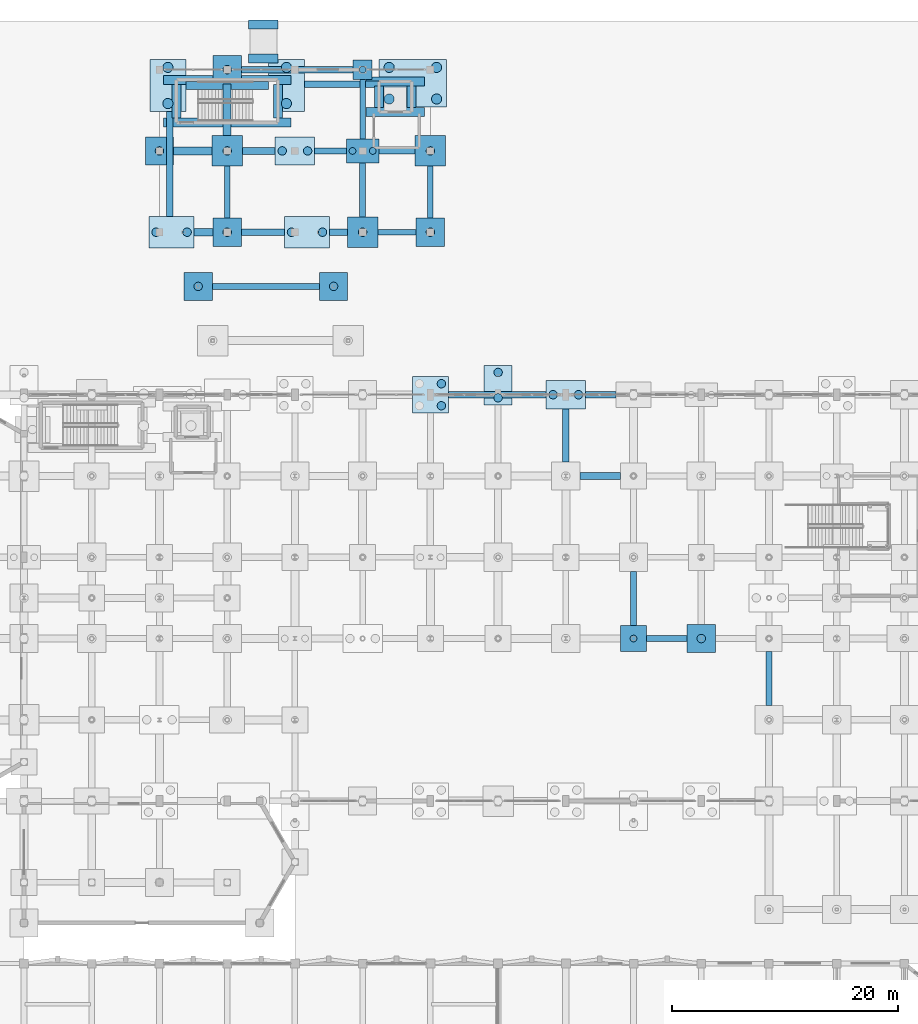
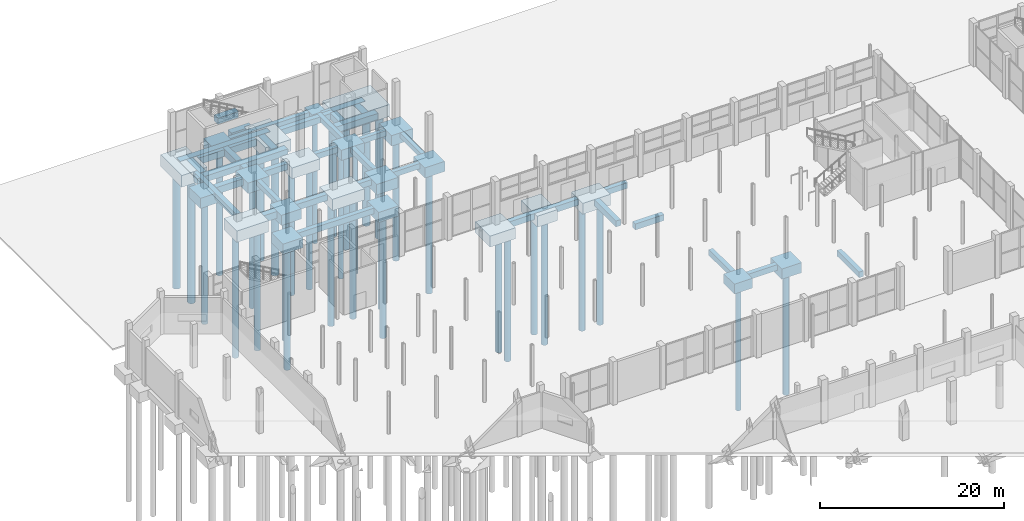
# One storey, part 6 of 103: 57 footings, 34 piles.
"""IFC4 building model written with IfcOpenShell, lengths in metres."""

from ifc_helpers import new_model, si_unit, direction, frame, origin, origin_2d, place, context, subcontext, project, spatial, rectangle, circle, extrude, material, material_profile, profile_set, type_object, element, save


model = new_model("IFC4")

# Units and contexts
model_context = context("Model", 3, precision=1e-05, world=origin(), true_north=direction((0.0, 1.0)))
body_context = subcontext(model_context, "Body", "Model", "MODEL_VIEW")
ifc_project = project(units=[si_unit("LENGTHUNIT", "METRE"), si_unit("AREAUNIT", "SQUARE_METRE"), si_unit("VOLUMEUNIT", "CUBIC_METRE"), si_unit("PLANEANGLEUNIT", "RADIAN"), si_unit("MASSUNIT", "GRAM", prefix="KILO")], contexts=[model_context])

# Site, building, storey
site_placement = place(None, origin())
site = spatial("IfcSite", under=ifc_project, at=site_placement, CompositionType="ELEMENT")
building_placement = place(site_placement, origin())
building = spatial("IfcBuilding", under=site, at=building_placement, Name="Dunvalen Ferry Terminal", CompositionType="ELEMENT")
storey_placement = place(building_placement, origin())
storey = spatial("IfcBuildingStorey", under=building, at=storey_placement, Name="L00", CompositionType="ELEMENT", Elevation=0.0)

# Footings
ifc_material = material(Name="Concrete C40/50", Category="concrete")
ifc_material_profile_1 = material_profile(ifc_material, rectangle(XDim=0.5, YDim=0.699951171875, at=origin_2d()), Name="Concrete C40/50")
ifc_profile_set_1 = profile_set([ifc_material_profile_1], Name="Concrete C40/50")
footing_type_1 = type_object("IfcFootingType", Name="STR-GB-500x700", PredefinedType="FOOTING_BEAM", material=ifc_profile_set_1)
footing_1_placement = place(storey_placement, frame((43.35009765625, 100.800048828125, -0.669921875), z_axis=(1.0, 0.0, 0.0), x_axis=(0.0, 1.0, 0.0)))
element("IfcFooting", 1, at=footing_1_placement, inside=storey, type_object=footing_type_1, Name="L00 Ground Beam X-339", PredefinedType="FOOTING_BEAM", context=body_context, shape_type="SweptSolid", body=[
    extrude(rectangle(XDim=0.5, YDim=0.699951171875, at=origin_2d()), origin(), (0.0, 0.0, 1.0), 3.39990234375),
])
footing_2_placement = place(storey_placement, frame((43.449951171875, 108.0, -0.669921875), z_axis=(1.0, 0.0, 0.0), x_axis=(0.0, 1.0, 0.0)))
element("IfcFooting", 2, at=footing_2_placement, inside=storey, type_object=footing_type_1, Name="L00 Ground Beam X-347", PredefinedType="FOOTING_BEAM", context=body_context, shape_type="SweptSolid", body=[
    extrude(rectangle(XDim=0.5, YDim=0.699951171875, at=origin_2d()), origin(), (0.0, 0.0, 1.0), 3.199951171875),
])
footing_3_placement = place(storey_placement, frame((30.0, 102.050048828125, -0.669921875), z_axis=(0.0, 1.0, 0.0), x_axis=(-1.0, 0.0, 0.0)))
element("IfcFooting", 3, at=footing_3_placement, inside=storey, type_object=footing_type_1, Name="L00 Ground Beam Y-395", PredefinedType="FOOTING_BEAM", context=body_context, shape_type="SweptSolid", body=[
    extrude(rectangle(XDim=0.5, YDim=0.699951171875, at=origin_2d()), origin(), (0.0, 0.0, 1.0), 4.599853515625),
])
footing_4_placement = place(storey_placement, frame((42.0, 109.050048828125, -0.669921875), z_axis=(0.0, 1.0, 0.0), x_axis=(-1.0, 0.0, 0.0)))
element("IfcFooting", 4, at=footing_4_placement, inside=storey, type_object=footing_type_1, Name="L00 Ground Beam Y-407", PredefinedType="FOOTING_BEAM", context=body_context, shape_type="SweptSolid", body=[
    extrude(rectangle(XDim=0.5, YDim=0.699951171875, at=origin_2d()), origin(), (0.0, 0.0, 1.0), 5.300048828125),
])
footing_5_placement = place(storey_placement, frame((48.0, 102.050048828125, -0.669921875), z_axis=(0.0, 1.0, 0.0), x_axis=(-1.0, 0.0, 0.0)))
element("IfcFooting", 5, at=footing_5_placement, inside=storey, type_object=footing_type_1, Name="L00 Ground Beam Y-411", PredefinedType="FOOTING_BEAM", context=body_context, shape_type="SweptSolid", body=[
    extrude(rectangle(XDim=0.5, YDim=0.699951171875, at=origin_2d()), origin(), (0.0, 0.0, 1.0), 4.599853515625),
])
ifc_material_profile_2 = material_profile(ifc_material, rectangle(XDim=0.550048828125, YDim=0.75, at=origin_2d()), Name="Concrete C40/50")
ifc_profile_set_2 = profile_set([ifc_material_profile_2], Name="Concrete C40/50")
footing_type_2 = type_object("IfcFootingType", Name="STR-GB-550x750", PredefinedType="FOOTING_BEAM", material=ifc_profile_set_2)
footing_6_placement = place(storey_placement, frame((67.14990234375, 64.800048828125, -0.695068359375), z_axis=(1.0, 0.0, 0.0), x_axis=(0.0, 1.0, 0.0)))
element("IfcFooting", 6, at=footing_6_placement, inside=storey, type_object=footing_type_2, Name="L00 Ground Beam X-238", PredefinedType="FOOTING_BEAM", context=body_context, shape_type="SweptSolid", body=[
    extrude(rectangle(XDim=0.550048828125, YDim=0.75, at=origin_2d()), origin(), (0.0, 0.0, 1.0), 3.60009765625),
])
footing_7_placement = place(storey_placement, frame((61.75, 86.39990234375, -0.695068359375), z_axis=(1.0, 0.0, 0.0), x_axis=(0.0, 1.0, 0.0)))
element("IfcFooting", 7, at=footing_7_placement, inside=storey, type_object=footing_type_2, Name="L00 Ground Beam X-318", PredefinedType="FOOTING_BEAM", context=body_context, shape_type="SweptSolid", body=[
    extrude(rectangle(XDim=0.550048828125, YDim=0.75, at=origin_2d()), origin(), (0.0, 0.0, 1.0), 2.699951171875),
])
footing_8_placement = place(storey_placement, frame((28.677734375, 96.0, -0.695068359375), z_axis=(1.0, 0.0, 0.0), x_axis=(0.0, 1.0, 0.0)))
element("IfcFooting", 8, at=footing_8_placement, inside=storey, type_object=footing_type_2, Name="L00 Ground Beam X-334", PredefinedType="FOOTING_BEAM", context=body_context, shape_type="SweptSolid", body=[
    extrude(rectangle(XDim=0.550048828125, YDim=0.75, at=origin_2d()), origin(), (0.0, 0.0, 1.0), 9.5),
])
footing_9_placement = place(storey_placement, frame((39.07080078125, 100.800048828125, -0.695068359375), z_axis=(1.0, 0.0, 0.0), x_axis=(0.0, 1.0, 0.0)))
element("IfcFooting", 9, at=footing_9_placement, inside=storey, type_object=footing_type_2, Name="L00 Ground Beam X-338", PredefinedType="FOOTING_BEAM", context=body_context, shape_type="SweptSolid", body=[
    extrude(rectangle(XDim=0.550048828125, YDim=0.75, at=origin_2d()), origin(), (0.0, 0.0, 1.0), 1.5791015625),
])
footing_10_placement = place(storey_placement, frame((37.75, 108.0, -0.695068359375), z_axis=(1.0, 0.0, 0.0), x_axis=(0.0, 1.0, 0.0)))
element("IfcFooting", 10, at=footing_10_placement, inside=storey, type_object=footing_type_2, Name="L00 Ground Beam X-346", PredefinedType="FOOTING_BEAM", context=body_context, shape_type="SweptSolid", body=[
    extrude(rectangle(XDim=0.550048828125, YDim=0.75, at=origin_2d()), origin(), (0.0, 0.0, 1.0), 2.800048828125),
])
footing_11_placement = place(storey_placement, frame((31.25, 115.199951171875, -0.695068359375), z_axis=(1.0, 0.0, 0.0), x_axis=(0.0, 1.0, 0.0)))
element("IfcFooting", 11, at=footing_11_placement, inside=storey, type_object=footing_type_2, Name="L00 Ground Beam X-354", PredefinedType="FOOTING_BEAM", context=body_context, shape_type="SweptSolid", body=[
    extrude(rectangle(XDim=0.550048828125, YDim=0.75, at=origin_2d()), origin(), (0.0, 0.0, 1.0), 9.89990234375),
])
for number, where, z_axis, x_axis, name in (
    (12, (42.0, 102.14990234375, -0.695068359375), (0.0, 1.0, 0.0), (-1.0, 0.0, 0.0), "L00 Ground Beam Y-406"),
    (13, (66.0, 65.949951171875, -0.695068359375), (0.0, 1.0, 0.0), (-1.0, 0.0, 0.0), "L00 Ground Beam Y-418"),
):
    element("IfcFooting", number, at=place(storey_placement, frame(where, z_axis=z_axis, x_axis=x_axis)), inside=storey, type_object=footing_type_2, Name=name, PredefinedType="FOOTING_BEAM", context=body_context, shape_type="SweptSolid", body=[
        extrude(rectangle(XDim=0.550048828125, YDim=0.75, at=origin_2d()), origin(), (0.0, 0.0, 1.0), 4.800048828125),
    ])
footing_12_placement = place(storey_placement, frame((78.0, 58.85009765625, -0.695068359375), z_axis=(0.0, 1.0, 0.0), x_axis=(-1.0, 0.0, 0.0)))
element("IfcFooting", 14, at=footing_12_placement, inside=storey, type_object=footing_type_2, Name="L00 Ground Beam Y-426", PredefinedType="FOOTING_BEAM", context=body_context, shape_type="SweptSolid", body=[
    extrude(rectangle(XDim=0.550048828125, YDim=0.75, at=origin_2d()), origin(), (0.0, 0.0, 1.0), 4.7998046875),
])
ifc_material_profile_3 = material_profile(ifc_material, rectangle(XDim=0.60009765625, YDim=0.800048828125, at=origin_2d()), Name="Concrete C40/50")
ifc_profile_set_3 = profile_set([ifc_material_profile_3], Name="Concrete C40/50")
footing_type_3 = type_object("IfcFootingType", Name="STR-GB-600x800", PredefinedType="FOOTING_BEAM", material=ifc_profile_set_3)
footing_13_placement = place(storey_placement, frame((61.25, 79.199951171875, -0.719970703125), z_axis=(1.0, 0.0, 0.0), x_axis=(0.0, 1.0, 0.0)))
element("IfcFooting", 15, at=footing_13_placement, inside=storey, type_object=footing_type_3, Name="L00 Ground Beam X-297", PredefinedType="FOOTING_BEAM", context=body_context, shape_type="SweptSolid", body=[
    extrude(rectangle(XDim=0.60009765625, YDim=0.800048828125, at=origin_2d()), origin(), (0.0, 0.0, 1.0), 3.60009765625),
])
footing_14_placement = place(storey_placement, frame((49.60009765625, 86.39990234375, -0.719970703125), z_axis=(1.0, 0.0, 0.0), x_axis=(0.0, 1.0, 0.0)))
element("IfcFooting", 16, at=footing_14_placement, inside=storey, type_object=footing_type_3, Name="L00 Ground Beam X-317", PredefinedType="FOOTING_BEAM", context=body_context, shape_type="SweptSolid", body=[
    extrude(rectangle(XDim=0.60009765625, YDim=0.800048828125, at=origin_2d()), origin(), (0.0, 0.0, 1.0), 8.64990234375),
])
footing_15_placement = place(storey_placement, frame((31.25, 100.800048828125, -0.719970703125), z_axis=(1.0, 0.0, 0.0), x_axis=(0.0, 1.0, 0.0)))
element("IfcFooting", 17, at=footing_15_placement, inside=storey, type_object=footing_type_3, Name="L00 Ground Beam X-337", PredefinedType="FOOTING_BEAM", context=body_context, shape_type="SweptSolid", body=[
    extrude(rectangle(XDim=0.60009765625, YDim=0.800048828125, at=origin_2d()), origin(), (0.0, 0.0, 1.0), 3.82080078125),
])
footing_16_placement = place(storey_placement, frame((31.35009765625, 108.0, -0.719970703125), z_axis=(1.0, 0.0, 0.0), x_axis=(0.0, 1.0, 0.0)))
element("IfcFooting", 18, at=footing_16_placement, inside=storey, type_object=footing_type_3, Name="L00 Ground Beam X-345", PredefinedType="FOOTING_BEAM", context=body_context, shape_type="SweptSolid", body=[
    extrude(rectangle(XDim=0.60009765625, YDim=0.800048828125, at=origin_2d()), origin(), (0.0, 0.0, 1.0), 2.89990234375),
])
footing_17_placement = place(storey_placement, frame((36.85009765625, 113.89990234375, -0.719970703125), z_axis=(1.0, 0.0, 0.0), x_axis=(0.0, 1.0, 0.0)))
element("IfcFooting", 19, at=footing_17_placement, inside=storey, type_object=footing_type_3, Name="L00 Ground Beam X-353", PredefinedType="FOOTING_BEAM", context=body_context, shape_type="SweptSolid", body=[
    extrude(rectangle(XDim=0.60009765625, YDim=0.800048828125, at=origin_2d()), origin(), (0.0, 0.0, 1.0), 6.599853515625),
])
footing_18_placement = place(storey_placement, frame((24.910400390625, 102.199951171875, -0.719970703125), z_axis=(0.0, 1.0, 0.0), x_axis=(-1.0, 0.0, 0.0)))
element("IfcFooting", 20, at=footing_18_placement, inside=storey, type_object=footing_type_3, Name="L00 Ground Beam Y-389", PredefinedType="FOOTING_BEAM", context=body_context, shape_type="SweptSolid", body=[
    extrude(rectangle(XDim=0.60009765625, YDim=0.800048828125, at=origin_2d()), origin(), (0.0, 0.0, 1.0), 9.300048828125),
])
footing_19_placement = place(storey_placement, frame((60.0, 80.449951171875, -0.719970703125), z_axis=(0.0, 1.0, 0.0), x_axis=(-1.0, 0.0, 0.0)))
element("IfcFooting", 21, at=footing_19_placement, inside=storey, type_object=footing_type_3, Name="L00 Ground Beam Y-417", PredefinedType="FOOTING_BEAM", context=body_context, shape_type="SweptSolid", body=[
    extrude(rectangle(XDim=0.60009765625, YDim=0.800048828125, at=origin_2d()), origin(), (0.0, 0.0, 1.0), 4.699951171875),
])
ifc_material_profile_4 = material_profile(ifc_material, rectangle(XDim=0.699951171875, YDim=0.89990234375, at=origin_2d()), Name="Concrete C40/50")
ifc_profile_set_4 = profile_set([ifc_material_profile_4], Name="Concrete C40/50")
footing_type_4 = type_object("IfcFootingType", Name="STR-GB-700x900", PredefinedType="FOOTING_BEAM", material=ifc_profile_set_4)
footing_20_placement = place(storey_placement, frame((27.07080078125, 100.800048828125, -0.77001953125), z_axis=(1.0, 0.0, 0.0), x_axis=(0.0, 1.0, 0.0)))
element("IfcFooting", 22, at=footing_20_placement, inside=storey, type_object=footing_type_4, Name="L00 Ground Beam X-336", PredefinedType="FOOTING_BEAM", context=body_context, shape_type="SweptSolid", body=[
    extrude(rectangle(XDim=0.699951171875, YDim=0.89990234375, at=origin_2d()), origin(), (0.0, 0.0, 1.0), 1.67919921875),
])
footing_21_placement = place(storey_placement, frame((25.25, 108.0, -0.77001953125), z_axis=(1.0, 0.0, 0.0), x_axis=(0.0, 1.0, 0.0)))
element("IfcFooting", 23, at=footing_21_placement, inside=storey, type_object=footing_type_4, Name="L00 Ground Beam X-344", PredefinedType="FOOTING_BEAM", context=body_context, shape_type="SweptSolid", body=[
    extrude(rectangle(XDim=0.699951171875, YDim=0.89990234375, at=origin_2d()), origin(), (0.0, 0.0, 1.0), 3.39990234375),
])
footing_22_placement = place(storey_placement, frame((26.35009765625, 113.800048828125, -0.77001953125), z_axis=(1.0, 0.0, 0.0), x_axis=(0.0, 1.0, 0.0)))
element("IfcFooting", 24, at=footing_22_placement, inside=storey, type_object=footing_type_4, Name="L00 Ground Beam X-352", PredefinedType="FOOTING_BEAM", context=body_context, shape_type="SweptSolid", body=[
    extrude(rectangle(XDim=0.699951171875, YDim=0.89990234375, at=origin_2d()), origin(), (0.0, 0.0, 1.0), 7.2998046875),
])
footing_23_placement = place(storey_placement, frame((30.0, 109.35009765625, -0.77001953125), z_axis=(0.0, 1.0, 0.0), x_axis=(-1.0, 0.0, 0.0)))
element("IfcFooting", 25, at=footing_23_placement, inside=storey, type_object=footing_type_4, Name="L00 Ground Beam Y-396", PredefinedType="FOOTING_BEAM", context=body_context, shape_type="SweptSolid", body=[
    extrude(rectangle(XDim=0.699951171875, YDim=0.89990234375, at=origin_2d()), origin(), (0.0, 0.0, 1.0), 4.599853515625),
])
footing_type_5 = type_object("IfcFootingType", Name="STR-PC-01", PredefinedType="PILE_CAP", material=ifc_material)
footing_24_placement = place(storey_placement, frame((42.0, 115.199951171875, -1.52001953125), z_axis=(0.0, 0.0, 1.0), x_axis=(1.0, 0.0, 0.0)))
element("IfcFooting", 26, at=footing_24_placement, inside=storey, type_object=footing_type_5, Name="L00 Pile Cap 076", PredefinedType="PILE_CAP", context=body_context, shape_type="SweptSolid", body=[
    extrude(rectangle(XDim=1.699951171875, YDim=1.699951171875, at=origin_2d()), origin(), (0.0, 0.0, 1.0), 1.199951171875),
])
footing_type_6 = type_object("IfcFootingType", Name="STR-PC-04", PredefinedType="PILE_CAP", material=ifc_material)
footing_25_placement = place(storey_placement, frame((66.0, 64.800048828125, -1.6201171875), z_axis=(0.0, 0.0, 1.0), x_axis=(1.0, 0.0, 0.0)))
element("IfcFooting", 27, at=footing_25_placement, inside=storey, type_object=footing_type_6, Name="L00 Pile Cap 096", PredefinedType="PILE_CAP", context=body_context, shape_type="SweptSolid", body=[
    extrude(rectangle(XDim=2.300048828125, YDim=2.300048828125, at=origin_2d()), origin(), (0.0, 0.0, 1.0), 1.300048828125),
])
footing_type_7 = type_object("IfcFootingType", Name="STR-PC-05", PredefinedType="PILE_CAP", material=ifc_material)
for number, where, z_axis, x_axis, name in (
    (28, (24.0, 108.0, -1.670166015625), (0.0, 0.0, 1.0), (1.0, 0.0, 0.0), "L00 Pile Cap 041"),
    (29, (27.427734375, 96.0, -1.670166015625), (0.0, 0.0, 1.0), (1.0, 0.0, 0.0), "L00 Pile Cap 043"),
    (30, (30.0, 100.800048828125, -1.670166015625), (0.0, 0.0, 1.0), (1.0, 0.0, 0.0), "L00 Pile Cap 053"),
    (31, (30.0, 115.199951171875, -1.670166015625), (0.0, 0.0, 1.0), (1.0, 0.0, 0.0), "L00 Pile Cap 055"),
    (32, (39.427734375, 96.0, -1.670166015625), (0.0, 0.0, 1.0), (1.0, 0.0, 0.0), "L00 Pile Cap 067"),
    (33, (48.0, 100.800048828125, -1.670166015625), (0.0, 0.0, 1.0), (1.0, 0.0, 0.0), "L00 Pile Cap 083"),
    (34, (72.0, 64.800048828125, -1.670166015625), (0.0, 0.0, 1.0), (1.0, 0.0, 0.0), "L00 Pile Cap 101"),
):
    element("IfcFooting", number, at=place(storey_placement, frame(where, z_axis=z_axis, x_axis=x_axis)), inside=storey, type_object=footing_type_7, Name=name, PredefinedType="PILE_CAP", context=body_context, shape_type="SweptSolid", body=[
        extrude(rectangle(XDim=2.5, YDim=2.5, at=origin_2d()), origin(), (0.0, 0.0, 1.0), 1.35009765625),
    ])
footing_type_8 = type_object("IfcFootingType", Name="STR-PC-06", PredefinedType="PILE_CAP", material=ifc_material)
for number, where, z_axis, x_axis, name in (
    (35, (30.0, 108.0, -1.719970703125), (0.0, 0.0, 1.0), (1.0, 0.0, 0.0), "L00 Pile Cap 054"),
    (36, (42.0, 100.800048828125, -1.719970703125), (0.0, 0.0, 1.0), (1.0, 0.0, 0.0), "L00 Pile Cap 074"),
    (37, (48.0, 108.0, -1.719970703125), (0.0, 0.0, 1.0), (1.0, 0.0, 0.0), "L00 Pile Cap 084"),
):
    element("IfcFooting", number, at=place(storey_placement, frame(where, z_axis=z_axis, x_axis=x_axis)), inside=storey, type_object=footing_type_8, Name=name, PredefinedType="PILE_CAP", context=body_context, shape_type="SweptSolid", body=[
        extrude(rectangle(XDim=2.699951171875, YDim=2.699951171875, at=origin_2d()), origin(), (0.0, 0.0, 1.0), 1.39990234375),
    ])
footing_type_9 = type_object("IfcFootingType", Name="STR-PC-07", PredefinedType="PILE_CAP", material=ifc_material)
footing_26_placement = place(storey_placement, frame((42.0, 108.0, -1.670166015625), z_axis=(0.0, 0.0, 1.0), x_axis=(1.0, 0.0, 0.0)))
element("IfcFooting", 38, at=footing_26_placement, inside=storey, type_object=footing_type_9, Name="L00 Pile Cap 075", PredefinedType="PILE_CAP", context=body_context, shape_type="SweptSolid", body=[
    extrude(rectangle(XDim=2.89990234375, YDim=2.10009765625, at=origin_2d()), origin(), (0.0, 0.0, 1.0), 1.35009765625),
])
footing_type_10 = type_object("IfcFootingType", Name="STR-PC-09", PredefinedType="PILE_CAP", material=ifc_material)
footing_27_placement = place(storey_placement, frame((48.0, 86.39990234375, -1.77001953125), z_axis=(0.0, 0.0, 1.0), x_axis=(1.0, 0.0, 0.0)))
element("IfcFooting", 39, at=footing_27_placement, inside=storey, type_object=footing_type_10, Name="L00 Pile Cap 082", PredefinedType="PILE_CAP", context=body_context, shape_type="SweptSolid", body=[
    extrude(rectangle(XDim=3.199951171875, YDim=3.199951171875, at=origin_2d()), origin(), (0.0, 0.0, 1.0), 1.449951171875),
])
footing_type_11 = type_object("IfcFootingType", Name="STR-PC-10", PredefinedType="PILE_CAP", material=ifc_material)
for number, where, z_axis, x_axis, name in (
    (40, (36.0, 108.0, -1.77001953125), (0.0, 0.0, 1.0), (1.0, 0.0, 0.0), "L00 Pile Cap 066"),
    (41, (54.0, 87.25, -1.77001953125), (0.0, 0.0, 1.0), (0.0, 1.0, 0.0), "L00 Pile Cap 089"),
    (42, (60.0, 86.39990234375, -1.77001953125), (0.0, 0.0, 1.0), (1.0, 0.0, 0.0), "L00 Pile Cap 094"),
):
    element("IfcFooting", number, at=place(storey_placement, frame(where, z_axis=z_axis, x_axis=x_axis)), inside=storey, type_object=footing_type_11, Name=name, PredefinedType="PILE_CAP", context=body_context, shape_type="SweptSolid", body=[
        extrude(rectangle(XDim=3.5, YDim=2.5, at=origin_2d()), origin(), (0.0, 0.0, 1.0), 1.449951171875),
    ])
footing_type_12 = type_object("IfcFootingType", Name="STR-PC-12", PredefinedType="PILE_CAP", material=ifc_material)
for number, where, z_axis, x_axis, name in (
    (43, (25.07080078125, 100.800048828125, -1.820068359375), (0.0, 0.0, 1.0), (1.0, 0.0, 0.0), "L00 Pile Cap 040"),
    (44, (37.07080078125, 100.800048828125, -1.820068359375), (0.0, 0.0, 1.0), (1.0, 0.0, 0.0), "L00 Pile Cap 065"),
):
    element("IfcFooting", number, at=place(storey_placement, frame(where, z_axis=z_axis, x_axis=x_axis)), inside=storey, type_object=footing_type_12, Name=name, PredefinedType="PILE_CAP", context=body_context, shape_type="SweptSolid", body=[
        extrude(rectangle(XDim=4.0, YDim=2.800048828125, at=origin_2d()), origin(), (0.0, 0.0, 1.0), 1.5),
    ])
footing_type_13 = type_object("IfcFootingType", Name="STR-PC-14", PredefinedType="PILE_CAP", material=ifc_material)
for number, where, z_axis, x_axis, name in (
    (45, (24.75, 113.800048828125, -1.8701171875), (0.0, 0.0, 1.0), (0.0, 1.0, 0.0), "L00 Pile Cap 042"),
    (46, (35.25, 113.800048828125, -1.8701171875), (0.0, 0.0, 1.0), (0.0, 1.0, 0.0), "L00 Pile Cap 057"),
):
    element("IfcFooting", number, at=place(storey_placement, frame(where, z_axis=z_axis, x_axis=x_axis)), inside=storey, type_object=footing_type_13, Name=name, PredefinedType="PILE_CAP", context=body_context, shape_type="SweptSolid", body=[
        extrude(rectangle(XDim=4.60009765625, YDim=3.199951171875, at=origin_2d()), origin(), (0.0, 0.0, 1.0), 1.550048828125),
    ])
footing_type_14 = type_object("IfcFootingType", Name="STR-PC-16", PredefinedType="PILE_CAP", material=ifc_material)
footing_28_placement = place(storey_placement, frame((46.449951171875, 114.0, -1.920166015625), z_axis=(0.0, 0.0, 1.0), x_axis=(1.0, 0.0, 0.0)))
element("IfcFooting", 47, at=footing_28_placement, inside=storey, type_object=footing_type_14, Name="L00 Pile Cap 077", PredefinedType="PILE_CAP", context=body_context, shape_type="SweptSolid", body=[
    extrude(rectangle(XDim=6.0, YDim=4.199951171875, at=origin_2d()), origin(), (0.0, 0.0, 1.0), 1.60009765625),
])

# Piles
ifc_material_profile_5 = material_profile(ifc_material, circle(Radius=0.300048828125, at=origin_2d()), Name="Concrete C40/50")
ifc_profile_set_5 = profile_set([ifc_material_profile_5], Name="Concrete C40/50")
pile_type_1 = type_object("IfcPileType", Name="STR-PILE-P600", PredefinedType="BORED", material=ifc_profile_set_5)
for number, where, z_axis, x_axis, name in (
    (48, (41.10009765625, 108.0, -1.570068359375), (0.0, 0.0, -1.0), (1.0, 0.0, 0.0), "L00 Bored Pile 075.1"),
    (49, (42.89990234375, 108.0, -1.570068359375), (0.0, 0.0, -1.0), (1.0, 0.0, 0.0), "L00 Bored Pile 075.2"),
):
    element("IfcPile", number, at=place(storey_placement, frame(where, z_axis=z_axis, x_axis=x_axis)), inside=storey, type_object=pile_type_1, Name=name, PredefinedType="BORED", context=body_context, shape_type="SweptSolid", body=[
        extrude(circle(Radius=0.300048828125, at=origin_2d()), origin(), (0.0, 0.0, 1.0), 16.429931640625),
    ])
pile_1_placement = place(storey_placement, frame((42.0, 115.199951171875, -1.419921875), z_axis=(0.0, 0.0, -1.0), x_axis=(1.0, 0.0, 0.0)))
element("IfcPile", 50, at=pile_1_placement, inside=storey, type_object=pile_type_1, Name="L00 Bored Pile 076.1", PredefinedType="BORED", context=body_context, shape_type="SweptSolid", body=[
    extrude(circle(Radius=0.300048828125, at=origin_2d()), origin(), (0.0, 0.0, 1.0), 16.580078125),
])
pile_2_placement = place(storey_placement, frame((66.0, 64.800048828125, -1.52001953125), z_axis=(0.0, 0.0, -1.0), x_axis=(1.0, 0.0, 0.0)))
element("IfcPile", 51, at=pile_2_placement, inside=storey, type_object=pile_type_1, Name="L00 Bored Pile 096.1", PredefinedType="BORED", context=body_context, shape_type="SweptSolid", body=[
    extrude(circle(Radius=0.300048828125, at=origin_2d()), origin(), (0.0, 0.0, 1.0), 16.47998046875),
])
ifc_material_profile_6 = material_profile(ifc_material, circle(Radius=0.375, at=origin_2d()), Name="Concrete C40/50")
ifc_profile_set_6 = profile_set([ifc_material_profile_6], Name="Concrete C40/50")
pile_type_2 = type_object("IfcPileType", Name="STR-PILE-P750", PredefinedType="BORED", material=ifc_profile_set_6)
for number, where, z_axis, x_axis, name in (
    (52, (23.69580078125, 100.800048828125, -1.719970703125), (0.0, 0.0, -1.0), (1.0, 0.0, 0.0), "L00 Bored Pile 040.1"),
    (53, (26.44580078125, 100.800048828125, -1.719970703125), (0.0, 0.0, -1.0), (1.0, 0.0, 0.0), "L00 Bored Pile 040.2"),
):
    element("IfcPile", number, at=place(storey_placement, frame(where, z_axis=z_axis, x_axis=x_axis)), inside=storey, type_object=pile_type_2, Name=name, PredefinedType="BORED", context=body_context, shape_type="SweptSolid", body=[
        extrude(circle(Radius=0.375, at=origin_2d()), origin(), (0.0, 0.0, 1.0), 16.280029296875),
    ])
for number, where, z_axis, x_axis, name in (
    (54, (24.0, 108.0, -1.570068359375), (0.0, 0.0, -1.0), (1.0, 0.0, 0.0), "L00 Bored Pile 041.1"),
    (55, (27.427734375, 96.0, -1.570068359375), (0.0, 0.0, -1.0), (1.0, 0.0, 0.0), "L00 Bored Pile 043.1"),
    (56, (30.0, 100.800048828125, -1.570068359375), (0.0, 0.0, -1.0), (1.0, 0.0, 0.0), "L00 Bored Pile 053.1"),
):
    element("IfcPile", number, at=place(storey_placement, frame(where, z_axis=z_axis, x_axis=x_axis)), inside=storey, type_object=pile_type_2, Name=name, PredefinedType="BORED", context=body_context, shape_type="SweptSolid", body=[
        extrude(circle(Radius=0.375, at=origin_2d()), origin(), (0.0, 0.0, 1.0), 16.429931640625),
    ])
pile_3_placement = place(storey_placement, frame((30.0, 108.0, -1.6201171875), z_axis=(0.0, 0.0, -1.0), x_axis=(1.0, 0.0, 0.0)))
element("IfcPile", 57, at=pile_3_placement, inside=storey, type_object=pile_type_2, Name="L00 Bored Pile 054.1", PredefinedType="BORED", context=body_context, shape_type="SweptSolid", body=[
    extrude(circle(Radius=0.375, at=origin_2d()), origin(), (0.0, 0.0, 1.0), 16.3798828125),
])
pile_4_placement = place(storey_placement, frame((30.0, 115.199951171875, -1.570068359375), z_axis=(0.0, 0.0, -1.0), x_axis=(1.0, 0.0, 0.0)))
element("IfcPile", 58, at=pile_4_placement, inside=storey, type_object=pile_type_2, Name="L00 Bored Pile 055.1", PredefinedType="BORED", context=body_context, shape_type="SweptSolid", body=[
    extrude(circle(Radius=0.375, at=origin_2d()), origin(), (0.0, 0.0, 1.0), 16.429931640625),
])
for number, where, z_axis, x_axis, name in (
    (59, (35.69580078125, 100.800048828125, -1.719970703125), (0.0, 0.0, -1.0), (1.0, 0.0, 0.0), "L00 Bored Pile 065.1"),
    (60, (38.44580078125, 100.800048828125, -1.719970703125), (0.0, 0.0, -1.0), (1.0, 0.0, 0.0), "L00 Bored Pile 065.2"),
):
    element("IfcPile", number, at=place(storey_placement, frame(where, z_axis=z_axis, x_axis=x_axis)), inside=storey, type_object=pile_type_2, Name=name, PredefinedType="BORED", context=body_context, shape_type="SweptSolid", body=[
        extrude(circle(Radius=0.375, at=origin_2d()), origin(), (0.0, 0.0, 1.0), 16.280029296875),
    ])
for number, where, z_axis, x_axis, name in (
    (61, (34.875, 108.0, -1.669921875), (0.0, 0.0, -1.0), (1.0, 0.0, 0.0), "L00 Bored Pile 066.1"),
    (62, (37.125, 108.0, -1.669921875), (0.0, 0.0, -1.0), (1.0, 0.0, 0.0), "L00 Bored Pile 066.2"),
):
    element("IfcPile", number, at=place(storey_placement, frame(where, z_axis=z_axis, x_axis=x_axis)), inside=storey, type_object=pile_type_2, Name=name, PredefinedType="BORED", context=body_context, shape_type="SweptSolid", body=[
        extrude(circle(Radius=0.375, at=origin_2d()), origin(), (0.0, 0.0, 1.0), 16.330078125),
    ])
pile_5_placement = place(storey_placement, frame((39.427734375, 96.0, -1.570068359375), z_axis=(0.0, 0.0, -1.0), x_axis=(1.0, 0.0, 0.0)))
element("IfcPile", 63, at=pile_5_placement, inside=storey, type_object=pile_type_2, Name="L00 Bored Pile 067.1", PredefinedType="BORED", context=body_context, shape_type="SweptSolid", body=[
    extrude(circle(Radius=0.375, at=origin_2d()), origin(), (0.0, 0.0, 1.0), 16.429931640625),
])
pile_6_placement = place(storey_placement, frame((42.0, 100.800048828125, -1.6201171875), z_axis=(0.0, 0.0, -1.0), x_axis=(1.0, 0.0, 0.0)))
element("IfcPile", 64, at=pile_6_placement, inside=storey, type_object=pile_type_2, Name="L00 Bored Pile 074.1", PredefinedType="BORED", context=body_context, shape_type="SweptSolid", body=[
    extrude(circle(Radius=0.375, at=origin_2d()), origin(), (0.0, 0.0, 1.0), 16.3798828125),
])
for number, where, z_axis, x_axis, name in (
    (65, (48.97509765625, 85.425048828125, -1.669921875), (0.0, 0.0, -1.0), (1.0, 0.0, 0.0), "L00 Bored Pile 082.2"),
    (66, (48.97509765625, 87.375, -1.669921875), (0.0, 0.0, -1.0), (1.0, 0.0, 0.0), "L00 Bored Pile 082.4"),
):
    element("IfcPile", number, at=place(storey_placement, frame(where, z_axis=z_axis, x_axis=x_axis)), inside=storey, type_object=pile_type_2, Name=name, PredefinedType="BORED", context=body_context, shape_type="SweptSolid", body=[
        extrude(circle(Radius=0.375, at=origin_2d()), origin(), (0.0, 0.0, 1.0), 16.330078125),
    ])
pile_7_placement = place(storey_placement, frame((48.0, 100.800048828125, -1.570068359375), z_axis=(0.0, 0.0, -1.0), x_axis=(1.0, 0.0, 0.0)))
element("IfcPile", 67, at=pile_7_placement, inside=storey, type_object=pile_type_2, Name="L00 Bored Pile 083.1", PredefinedType="BORED", context=body_context, shape_type="SweptSolid", body=[
    extrude(circle(Radius=0.375, at=origin_2d()), origin(), (0.0, 0.0, 1.0), 16.429931640625),
])
pile_8_placement = place(storey_placement, frame((48.0, 108.0, -1.6201171875), z_axis=(0.0, 0.0, -1.0), x_axis=(1.0, 0.0, 0.0)))
element("IfcPile", 68, at=pile_8_placement, inside=storey, type_object=pile_type_2, Name="L00 Bored Pile 084.1", PredefinedType="BORED", context=body_context, shape_type="SweptSolid", body=[
    extrude(circle(Radius=0.375, at=origin_2d()), origin(), (0.0, 0.0, 1.0), 16.3798828125),
])
for number, where, z_axis, x_axis, name in (
    (69, (54.0, 86.125, -1.669921875), (0.0, 0.0, -1.0), (1.0, 0.0, 0.0), "L00 Bored Pile 089.1"),
    (70, (54.0, 88.375, -1.669921875), (0.0, 0.0, -1.0), (1.0, 0.0, 0.0), "L00 Bored Pile 089.2"),
    (71, (58.875, 86.39990234375, -1.669921875), (0.0, 0.0, -1.0), (1.0, 0.0, 0.0), "L00 Bored Pile 094.1"),
    (72, (61.125, 86.39990234375, -1.669921875), (0.0, 0.0, -1.0), (1.0, 0.0, 0.0), "L00 Bored Pile 094.2"),
):
    element("IfcPile", number, at=place(storey_placement, frame(where, z_axis=z_axis, x_axis=x_axis)), inside=storey, type_object=pile_type_2, Name=name, PredefinedType="BORED", context=body_context, shape_type="SweptSolid", body=[
        extrude(circle(Radius=0.375, at=origin_2d()), origin(), (0.0, 0.0, 1.0), 16.330078125),
    ])
pile_9_placement = place(storey_placement, frame((72.0, 64.800048828125, -1.570068359375), z_axis=(0.0, 0.0, -1.0), x_axis=(1.0, 0.0, 0.0)))
element("IfcPile", 73, at=pile_9_placement, inside=storey, type_object=pile_type_2, Name="L00 Bored Pile 101.1", PredefinedType="BORED", context=body_context, shape_type="SweptSolid", body=[
    extrude(circle(Radius=0.375, at=origin_2d()), origin(), (0.0, 0.0, 1.0), 16.429931640625),
])
ifc_material_profile_7 = material_profile(ifc_material, circle(Radius=0.449951171875, at=origin_2d()), Name="Concrete C40/50")
ifc_profile_set_7 = profile_set([ifc_material_profile_7], Name="Concrete C40/50")
pile_type_3 = type_object("IfcPileType", Name="STR-PILE-P900", PredefinedType="BORED", material=ifc_profile_set_7)
for number, where, z_axis, x_axis, name in (
    (74, (24.75, 112.199951171875, -1.77001953125), (0.0, 0.0, -1.0), (1.0, 0.0, 0.0), "L00 Bored Pile 042.1"),
    (75, (24.75, 115.39990234375, -1.77001953125), (0.0, 0.0, -1.0), (1.0, 0.0, 0.0), "L00 Bored Pile 042.2"),
    (76, (35.25, 112.199951171875, -1.77001953125), (0.0, 0.0, -1.0), (1.0, 0.0, 0.0), "L00 Bored Pile 057.1"),
    (77, (35.25, 115.39990234375, -1.77001953125), (0.0, 0.0, -1.0), (1.0, 0.0, 0.0), "L00 Bored Pile 057.2"),
):
    element("IfcPile", number, at=place(storey_placement, frame(where, z_axis=z_axis, x_axis=x_axis)), inside=storey, type_object=pile_type_3, Name=name, PredefinedType="BORED", context=body_context, shape_type="SweptSolid", body=[
        extrude(circle(Radius=0.449951171875, at=origin_2d()), origin(), (0.0, 0.0, 1.0), 16.22998046875),
    ])
for number, where, z_axis, x_axis, name in (
    (78, (44.35009765625, 112.60009765625, -1.820068359375), (0.0, 0.0, -1.0), (1.0, 0.0, 0.0), "L00 Bored Pile 077.1"),
    (79, (48.550048828125, 112.60009765625, -1.820068359375), (0.0, 0.0, -1.0), (1.0, 0.0, 0.0), "L00 Bored Pile 077.2"),
    (80, (44.35009765625, 115.39990234375, -1.820068359375), (0.0, 0.0, -1.0), (1.0, 0.0, 0.0), "L00 Bored Pile 077.3"),
    (81, (48.550048828125, 115.39990234375, -1.820068359375), (0.0, 0.0, -1.0), (1.0, 0.0, 0.0), "L00 Bored Pile 077.4"),
):
    element("IfcPile", number, at=place(storey_placement, frame(where, z_axis=z_axis, x_axis=x_axis)), inside=storey, type_object=pile_type_3, Name=name, PredefinedType="BORED", context=body_context, shape_type="SweptSolid", body=[
        extrude(circle(Radius=0.449951171875, at=origin_2d()), origin(), (0.0, 0.0, 1.0), 16.179931640625),
    ])

# Footings
ifc_material_profile_8 = material_profile(ifc_material, rectangle(XDim=0.800048828125, YDim=0.800048828125, at=origin_2d()), Name="Concrete C40/50")
ifc_profile_set_8 = profile_set([ifc_material_profile_8], Name="Concrete C40/50")
footing_type_15 = type_object("IfcFootingType", Name="STR-SF-800x800", PredefinedType="STRIP_FOOTING", material=ifc_profile_set_8)
for number, where, z_axis, x_axis, name in (
    (82, (25.5, 110.909912109375, -0.719970703125), (0.0, 1.0, 0.0), (-1.0, 0.0, 0.0), "L00 ST11 Core West Strip Footing"),
    (83, (34.5, 110.909912109375, -0.719970703125), (0.0, 1.0, 0.0), (-1.0, 0.0, 0.0), "L00 ST11 Core East Strip Footing"),
):
    element("IfcFooting", number, at=place(storey_placement, frame(where, z_axis=z_axis, x_axis=x_axis)), inside=storey, type_object=footing_type_15, Name=name, PredefinedType="STRIP_FOOTING", context=body_context, shape_type="SweptSolid", body=[
        extrude(rectangle(XDim=0.800048828125, YDim=0.800048828125, at=origin_2d()), origin(), (0.0, 0.0, 1.0), 2.97998046875),
    ])
for number, where, z_axis, x_axis, name in (
    (84, (24.35009765625, 114.300048828125, -0.719970703125), (1.0, 0.0, 0.0), (0.0, 1.0, 0.0), "L00 ST11 Core North Strip Footing"),
    (85, (24.35009765625, 110.5, -0.719970703125), (1.0, 0.0, 0.0), (0.0, 1.0, 0.0), "L00 ST11 Core South Strip Footing"),
):
    element("IfcFooting", number, at=place(storey_placement, frame(where, z_axis=z_axis, x_axis=x_axis)), inside=storey, type_object=footing_type_15, Name=name, PredefinedType="STRIP_FOOTING", context=body_context, shape_type="SweptSolid", body=[
        extrude(rectangle(XDim=0.800048828125, YDim=0.800048828125, at=origin_2d()), origin(), (0.0, 0.0, 1.0), 11.2998046875),
    ])
for number, where, z_axis, x_axis, name in (
    (86, (43.449951171875, 111.860107421875, -0.719970703125), (0.0, 1.0, 0.0), (-1.0, 0.0, 0.0), "L00 LP-03 Shaft W Strip Footing"),
    (87, (46.35009765625, 111.860107421875, -0.719970703125), (0.0, 1.0, 0.0), (-1.0, 0.0, 0.0), "L00 LP-03 Shaft E Strip Footing"),
):
    element("IfcFooting", number, at=place(storey_placement, frame(where, z_axis=z_axis, x_axis=x_axis)), inside=storey, type_object=footing_type_15, Name=name, PredefinedType="STRIP_FOOTING", context=body_context, shape_type="SweptSolid", body=[
        extrude(rectangle(XDim=0.800048828125, YDim=0.800048828125, at=origin_2d()), origin(), (0.0, 0.0, 1.0), 1.8798828125),
    ])
for number, where, z_axis, x_axis, name in (
    (88, (42.300048828125, 111.449951171875, -0.719970703125), (1.0, 0.0, 0.0), (0.0, 1.0, 0.0), "L00 LP-03 Shaft S Strip Footing"),
    (89, (42.300048828125, 114.14990234375, -0.719970703125), (1.0, 0.0, 0.0), (0.0, 1.0, 0.0), "L00 LP-03 Shaft N Strip Footing"),
):
    element("IfcFooting", number, at=place(storey_placement, frame(where, z_axis=z_axis, x_axis=x_axis)), inside=storey, type_object=footing_type_15, Name=name, PredefinedType="STRIP_FOOTING", context=body_context, shape_type="SweptSolid", body=[
        extrude(rectangle(XDim=0.800048828125, YDim=0.800048828125, at=origin_2d()), origin(), (0.0, 0.0, 1.0), 5.199951171875),
    ])
for number, where, z_axis, x_axis, name in (
    (90, (31.89990234375, 116.199951171875, -0.77001953125), (1.0, 0.0, 0.0), (0.0, 1.0, 0.0), "Accessible Ramp AR-04 Lower Strip Footing"),
    (91, (31.89990234375, 119.199951171875, -0.6201171875), (1.0, 0.0, 0.0), (0.0, 1.0, 0.0), "Accessible Ramp AR-04 Upper Strip Footing"),
):
    element("IfcFooting", number, at=place(storey_placement, frame(where, z_axis=z_axis, x_axis=x_axis)), inside=storey, type_object=footing_type_15, Name=name, PredefinedType="STRIP_FOOTING", context=body_context, shape_type="SweptSolid", body=[
        extrude(rectangle(XDim=0.800048828125, YDim=0.800048828125, at=origin_2d()), origin(), (0.0, 0.0, 1.0), 2.60009765625),
    ])

save(model, "model.ifc")
